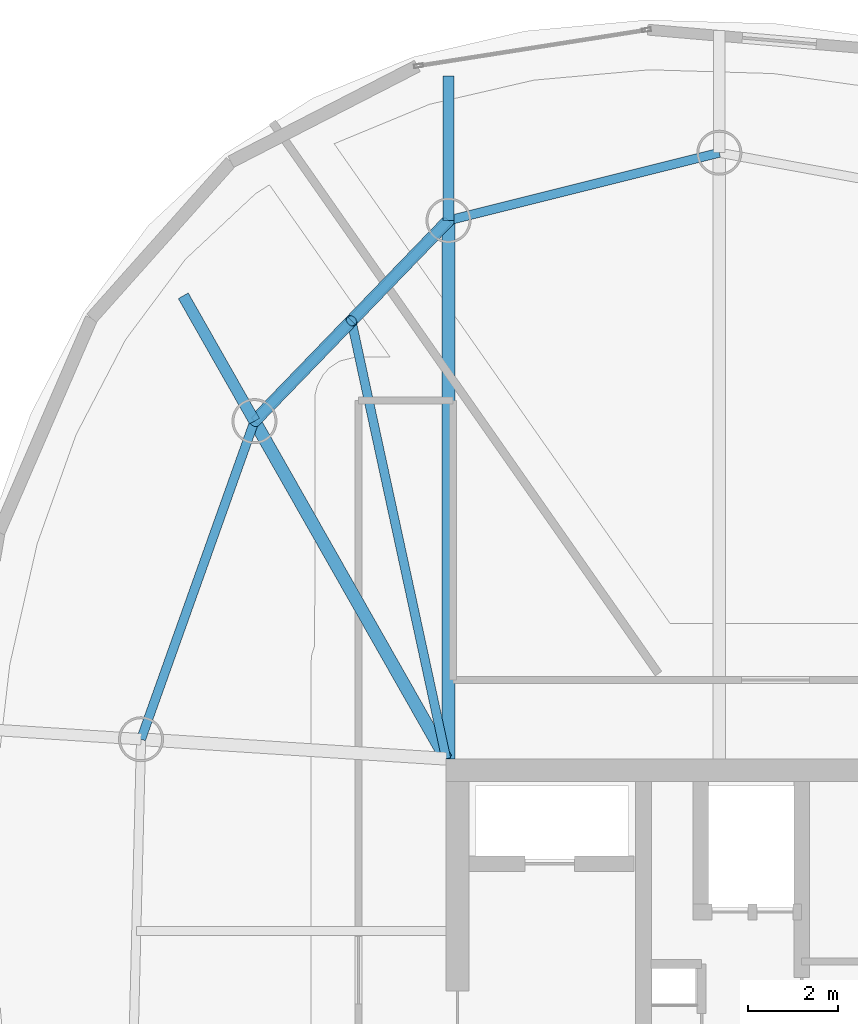
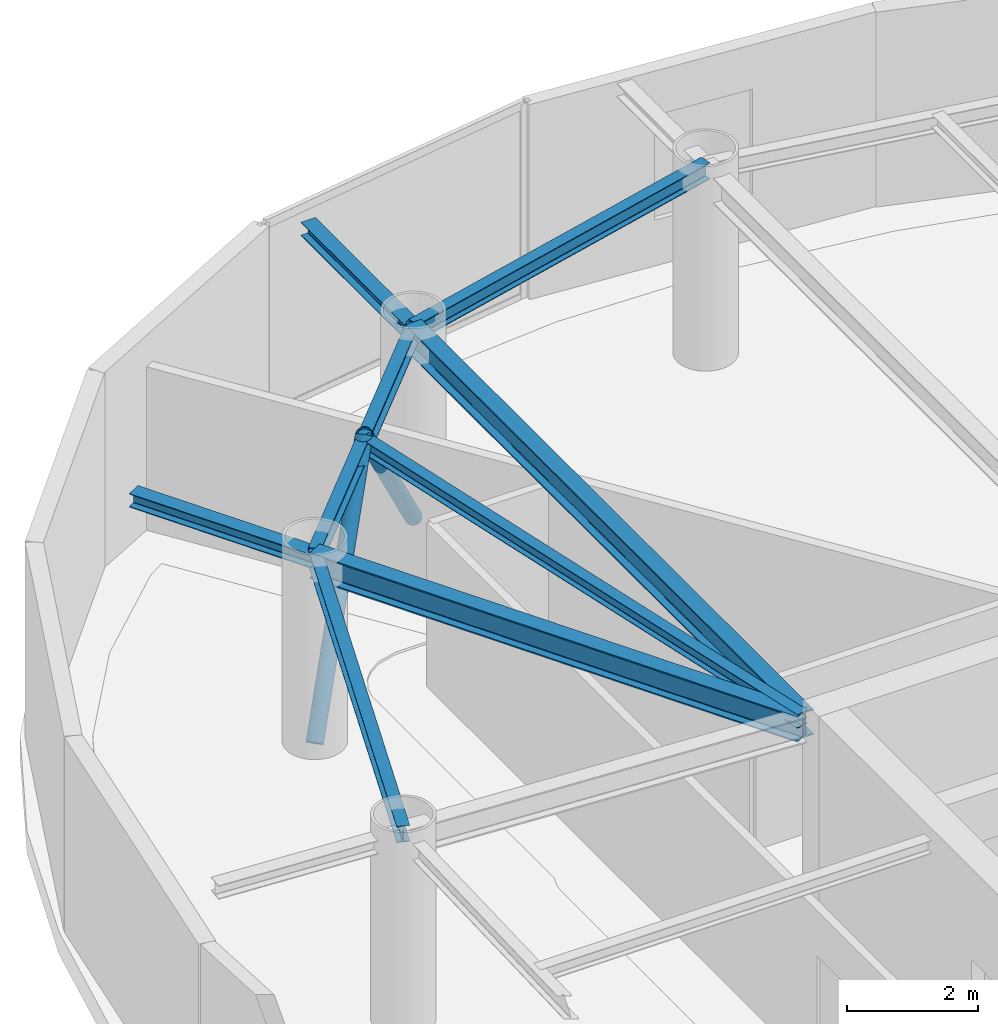
# One storey, part 11 of 20: 8 beams, 2 members.
"""IFC4 building model written with IfcOpenShell, lengths in metres."""

import ifcopenshell
import ifcopenshell.guid

model = None  # the IFC model being written
_history = None  # IfcOwnerHistory: only IFC2X3 demands one
_inside = {}  # id of a spatial element -> (the spatial element, [elements in it])
_under = {}  # id of a project, library or spatial element -> (it, [spatial elements below it])
_declared = {}  # id of a project -> (the project, [libraries it declares])
_typed = {}  # id of a type object -> (the type object, [elements of that type])
_made_of = {}  # id of a material, layer set ... -> (it, [elements and type objects made of it])


def new_model(schema):
    """Start an empty IFC model of exactly this schema.

    Asked for "IFC4X3", IfcOpenShell would pick the latest addendum, in which some entities
    have other attributes; the version numbers below select the first issue.
    IFC2X3 requires an IfcOwnerHistory on every rooted entity: one is made here for all.
    """
    global model, _history
    if schema == "IFC4X3":
        model = ifcopenshell.file(schema_version=(4, 3, 0, 0))
    else:
        model = ifcopenshell.file(schema=schema)
    _inside.clear()
    _under.clear()
    _declared.clear()
    _typed.clear()
    _made_of.clear()
    _history = None
    if model.schema == "IFC2X3":
        org = make("IfcOrganization", Name="unknown")
        user = make(
            "IfcPersonAndOrganization",
            ThePerson=make("IfcPerson", FamilyName="unknown"),
            TheOrganization=org,
        )
        app = make(
            "IfcApplication",
            ApplicationDeveloper=org,
            Version="unknown",
            ApplicationFullName="unknown",
            ApplicationIdentifier="unknown",
        )
        _history = make(
            "IfcOwnerHistory",
            OwningUser=user,
            OwningApplication=app,
            ChangeAction="ADDED",
            CreationDate=0,
        )
    return model


def make(cls, **values):
    """One entity of the class cls with the attributes given. An attribute that is None is left unset."""
    return model.create_entity(
        cls, **{name: value for name, value in values.items() if value is not None}
    )


def rooted(cls, **values):
    """An entity with a GlobalId (a new one), such as an element, a storey or a relation."""
    return make(cls, GlobalId=ifcopenshell.guid.new(), OwnerHistory=_history, **values)


def si_unit(unit_type, name, prefix=None):
    """IfcSIUnit, for example si_unit("LENGTHUNIT", "METRE", prefix="MILLI")."""
    return make("IfcSIUnit", UnitType=unit_type, Prefix=prefix, Name=name)


def assignment(units):
    """IfcUnitAssignment: the units of a project."""
    return None if units is None else make("IfcUnitAssignment", Units=units)


def point(xyz):
    """IfcCartesianPoint."""
    return None if xyz is None else make("IfcCartesianPoint", Coordinates=xyz)


def direction(xyz):
    """IfcDirection."""
    return None if xyz is None else make("IfcDirection", DirectionRatios=xyz)


def frame(location, z_axis=None, x_axis=None):
    """IfcAxis2Placement3D, a coordinate frame: its origin and axes. An axis left out is left unset."""
    return make(
        "IfcAxis2Placement3D",
        Location=point(location),
        Axis=direction(z_axis),
        RefDirection=direction(x_axis),
    )


def frame_2d(location, x_axis=None):
    """IfcAxis2Placement2D, a coordinate frame in the plane: its origin and x axis."""
    return make(
        "IfcAxis2Placement2D", Location=point(location), RefDirection=direction(x_axis)
    )


def origin():
    """The frame at (0, 0, 0) with its axes left unset."""
    return frame((0.0, 0.0, 0.0))


def origin_2d():
    """The frame at (0, 0) in the plane with its x axis left unset."""
    return frame_2d((0.0, 0.0))


def place(relative_to, where):
    """IfcLocalPlacement: puts the frame where relative to a parent placement (None: the world)."""
    return make(
        "IfcLocalPlacement", PlacementRelTo=relative_to, RelativePlacement=where
    )


def context(
    kind, dimensions, precision=None, world=None, true_north=None, identifier=None
):
    """IfcGeometricRepresentationContext, for example the 3D "Model" context."""
    return make(
        "IfcGeometricRepresentationContext",
        ContextIdentifier=identifier,
        ContextType=kind,
        CoordinateSpaceDimension=dimensions,
        Precision=precision,
        WorldCoordinateSystem=world,
        TrueNorth=true_north,
    )


def subcontext(parent, identifier, kind, view, scale=None):
    """IfcGeometricRepresentationSubContext, for example "Body" below "Model"."""
    return make(
        "IfcGeometricRepresentationSubContext",
        ContextIdentifier=identifier,
        ContextType=kind,
        ParentContext=parent,
        TargetScale=scale,
        TargetView=view,
    )


def project(units=None, contexts=None):
    """IfcProject with its units and contexts."""
    return rooted(
        "IfcProject",
        Name="project",
        RepresentationContexts=contexts,
        UnitsInContext=assignment(units),
    )


def spatial(cls, under=None, at=None, **own):
    """A site, building, storey or space (cls), placed at a placement, below another one or the project."""
    s = rooted(cls, ObjectPlacement=at, **own)
    if under is not None:
        _under.setdefault(under.id(), (under, []))[1].append(s)
    return s


def profile(cls, at=None, kind="AREA", **sizes):
    """A parametric profile (cls). Its sizes go by their IFC names, for example OverallWidth=200.0."""
    return make(cls, ProfileType=kind, Position=at, **sizes)


def hollow_circle(**sizes):
    """IfcCircleHollowProfileDef."""
    return profile("IfcCircleHollowProfileDef", **sizes)


def i_section(**sizes):
    """IfcIShapeProfileDef."""
    return profile("IfcIShapeProfileDef", **sizes)


def extrude(swept, where, along, depth):
    """IfcExtrudedAreaSolid: the profile swept, set in the frame where, extruded along a direction by depth."""
    return make(
        "IfcExtrudedAreaSolid",
        SweptArea=swept,
        Position=where,
        ExtrudedDirection=direction(along),
        Depth=depth,
    )


def shape(context_of_items, identifier, shape_type, items):
    """IfcShapeRepresentation: the items that make up one representation, for example the "Body"."""
    return make(
        "IfcShapeRepresentation",
        ContextOfItems=context_of_items,
        RepresentationIdentifier=identifier,
        RepresentationType=shape_type,
        Items=items,
    )


def material(Name=None, Category=None):
    """IfcMaterial."""
    return make("IfcMaterial", Name=Name, Category=Category)


def material_profile(
    of_material, cross_section, Name=None, Category=None, Priority=None
):
    """IfcMaterialProfile: a cross section and its material."""
    return make(
        "IfcMaterialProfile",
        Name=Name,
        Material=of_material,
        Profile=cross_section,
        Priority=Priority,
        Category=Category,
    )


def profile_set(profiles, Name=None, composite=None):
    """IfcMaterialProfileSet."""
    return make(
        "IfcMaterialProfileSet",
        Name=Name,
        MaterialProfiles=profiles,
        CompositeProfile=composite,
    )


def made_of(thing, what):
    """Note that an element or type object is made of a material, layer set ...; save() writes the relation."""
    if what is not None:
        _made_of.setdefault(what.id(), (what, []))[1].append(thing)
    return thing


def type_object(cls, material=None, **own):
    """A type object (cls), such as IfcWallType, which elements share."""
    return made_of(rooted(cls, **own), material)


def element(
    cls,
    number,
    at=None,
    inside=None,
    cuts=None,
    type_object=None,
    material=None,
    context=None,
    identifier="Body",
    shape_type=None,
    held_by="IfcProductDefinitionShape",
    body=None,
    shapes=None,
    **own,
):
    """One element of the class cls, such as IfcWall. Its Tag is "e" and its number.

    at: its placement. inside: the storey or other place that contains it. cuts: it is an
    opening in that element (IfcRelVoidsElement). A single representation is given by context,
    identifier, shape_type and body (its items); several are given by shapes. held_by: the class
    of the entity that holds the representations. save() writes the other relations.
    """
    e = rooted(cls, Tag="e%d" % number, ObjectPlacement=at, **own)
    if body is not None:
        shapes = [shape(context, identifier, shape_type, body)]
    if shapes is not None:
        e.Representation = make(held_by, Representations=shapes)
    if inside is not None:
        _inside.setdefault(inside.id(), (inside, []))[1].append(e)
    if cuts is not None:
        rooted(
            "IfcRelVoidsElement", RelatingBuildingElement=cuts, RelatedOpeningElement=e
        )
    if type_object is not None:
        _typed.setdefault(type_object.id(), (type_object, []))[1].append(e)
    return made_of(e, material)


def aggregate(whole, parts):
    """IfcRelAggregates: a whole, such as a stair, and the parts it consists of."""
    return rooted("IfcRelAggregates", RelatingObject=whole, RelatedObjects=parts)


def save(model, path):
    """Write the relations noted so far, then the file.

    IfcRelAggregates (storeys below a building ...), IfcRelContainedInSpatialStructure (elements
    in a storey), IfcRelDefinesByType, IfcRelAssociatesMaterial and IfcRelDeclares: one each for
    every whole, place, type object, material and project.
    """
    for whole, parts in _under.values():
        aggregate(whole, parts)
    for where, things in _inside.values():
        rooted(
            "IfcRelContainedInSpatialStructure",
            RelatedElements=things,
            RelatingStructure=where,
        )
    for kind, things in _typed.values():
        rooted("IfcRelDefinesByType", RelatedObjects=things, RelatingType=kind)
    for what, things in _made_of.values():
        rooted("IfcRelAssociatesMaterial", RelatedObjects=things, RelatingMaterial=what)
    for by, libraries in _declared.values():
        rooted("IfcRelDeclares", RelatingContext=by, RelatedDefinitions=libraries)
    model.write(path)


model = new_model("IFC4")

# Units and contexts
model_context = context("Model", 3, precision=1e-05, world=origin(), true_north=direction((0.0, 1.0)))
body_context = subcontext(model_context, "Body", "Model", "MODEL_VIEW")
ifc_project = project(units=[si_unit("LENGTHUNIT", "METRE"), si_unit("AREAUNIT", "SQUARE_METRE"), si_unit("VOLUMEUNIT", "CUBIC_METRE"), si_unit("PLANEANGLEUNIT", "RADIAN"), si_unit("MASSUNIT", "GRAM", prefix="KILO")], contexts=[model_context])

# Site, building, storey
site_placement = place(None, origin())
site = spatial("IfcSite", under=ifc_project, at=site_placement, CompositionType="ELEMENT")
building_placement = place(site_placement, origin())
building = spatial("IfcBuilding", under=site, at=building_placement, Name="Bramvorn Convention Spire", CompositionType="ELEMENT")
storey_placement = place(building_placement, frame((0.0, 0.0, 242.050048828125)))
storey = spatial("IfcBuildingStorey", under=building, at=storey_placement, Name="L61", CompositionType="ELEMENT", Elevation=242.050048828125)

# Beams
ifc_material = material(Name="Steel CSA G40.21 Grade 350 (350W)", Category="steel")
ifc_material_profile_1 = material_profile(ifc_material, i_section(OverallWidth=0.201904296875, OverallDepth=0.2470703125, WebThickness=0.00732421875, FlangeThickness=0.010986328125, FilletRadius=0.011962890625, at=origin_2d()))
ifc_profile_set_1 = profile_set([ifc_material_profile_1], Name="Steel CSA G40.21 Grade 350 (350W) - W250X49")
beam_type_1 = type_object("IfcBeamType", Name="BM-W250X49", PredefinedType="JOIST", material=ifc_profile_set_1)
beam_1_placement = place(storey_placement, frame((26.75, 33.449951171875, 3.50146484375), z_axis=(-0.211461445939, 0.977386339623, 0.0), x_axis=(-0.977386339623, -0.211461445939, 0.0)))
element("IfcBeam", 1, at=beam_1_placement, inside=storey, type_object=beam_type_1, Name="L61 composite floor joist 09", PredefinedType="JOIST", context=body_context, shape_type="SweptSolid", body=[
    extrude(i_section(OverallWidth=0.201904296875, OverallDepth=0.2470703125, WebThickness=0.00732421875, FlangeThickness=0.010986328125, FilletRadius=0.011962890625, at=origin_2d()), origin(), (0.0, 0.0, 1.0), 9.9462890625),
])
ifc_material_profile_2 = material_profile(ifc_material, i_section(OverallWidth=0.25390625, OverallDepth=0.2529296875, WebThickness=0.008544921875, FlangeThickness=0.01416015625, FilletRadius=0.011962890625, at=origin_2d()))
ifc_profile_set_2 = profile_set([ifc_material_profile_2], Name="Steel CSA G40.21 Grade 350 (350W) - W250X73")
beam_type_2 = type_object("IfcBeamType", Name="BM-W250X73", PredefinedType="BEAM", material=ifc_profile_set_2)
beam_2_placement = place(storey_placement, frame((26.800048828125, 45.39892578125, 3.45849609375), z_axis=(0.0, 1.0, 0.0), x_axis=(-1.0, 0.0, 0.0)))
element("IfcBeam", 2, at=beam_2_placement, inside=storey, type_object=beam_type_2, Name="L61 slab-edge cantilever tip beam MC09", PredefinedType="BEAM", context=body_context, shape_type="SweptSolid", body=[
    extrude(i_section(OverallWidth=0.25390625, OverallDepth=0.2529296875, WebThickness=0.008544921875, FlangeThickness=0.01416015625, FilletRadius=0.011962890625, at=origin_2d()), origin(), (0.0, 0.0, 1.0), 3.2001953125),
])
beam_3_placement = place(storey_placement, frame((22.49365234375, 40.94384765625, 3.45849609375), z_axis=(-0.493918961888, 0.869507940785, 0.0), x_axis=(-0.869507940785, -0.493918961888, 0.0)))
element("IfcBeam", 3, at=beam_3_placement, inside=storey, type_object=beam_type_2, Name="L61 slab-edge cantilever tip beam MC10", PredefinedType="BEAM", context=body_context, shape_type="SweptSolid", body=[
    extrude(i_section(OverallWidth=0.25390625, OverallDepth=0.2529296875, WebThickness=0.008544921875, FlangeThickness=0.01416015625, FilletRadius=0.011962890625, at=origin_2d()), origin(), (0.0, 0.0, 1.0), 3.199951171875),
])
ifc_material_profile_3 = material_profile(ifc_material, i_section(OverallWidth=0.202880859375, OverallDepth=0.302978515625, WebThickness=0.007568359375, FlangeThickness=0.01318359375, FilletRadius=0.013916015625, at=origin_2d()))
ifc_profile_set_3 = profile_set([ifc_material_profile_3], Name="Steel CSA G40.21 Grade 350 (350W) - W310X60")
beam_type_3 = type_object("IfcBeamType", Name="BM-W310X60", PredefinedType="JOIST", material=ifc_profile_set_3)
for number, where, z_axis, x_axis, name in (
    (4, (32.8115234375, 46.90087890625, 3.473388671875), (-0.970177255997, -0.24239655927, 0.0), (0.24239655927, -0.970177255997, 0.0), "L61 mega-column ring beam 08"),
    (5, (26.800048828125, 45.39892578125, 3.473388671875), (-0.695007159797, -0.719002814898, 0.0), (0.719002814898, -0.695007159797, 0.0), "L61 mega-column ring beam 09"),
):
    element("IfcBeam", number, at=place(storey_placement, frame(where, z_axis=z_axis, x_axis=x_axis)), inside=storey, type_object=beam_type_3, Name=name, PredefinedType="JOIST", context=body_context, shape_type="SweptSolid", body=[
        extrude(i_section(OverallWidth=0.202880859375, OverallDepth=0.302978515625, WebThickness=0.007568359375, FlangeThickness=0.01318359375, FilletRadius=0.013916015625, at=origin_2d()), origin(), (0.0, 0.0, 1.0), 6.1962890625),
    ])
beam_4_placement = place(storey_placement, frame((22.49365234375, 40.94384765625, 3.473388671875), z_axis=(-0.335839090413, -0.941919373063, 0.0), x_axis=(0.941919373063, -0.335839090413, 0.0)))
element("IfcBeam", 6, at=beam_4_placement, inside=storey, type_object=beam_type_3, Name="L61 mega-column ring beam 10", PredefinedType="JOIST", context=body_context, shape_type="SweptSolid", body=[
    extrude(i_section(OverallWidth=0.202880859375, OverallDepth=0.302978515625, WebThickness=0.007568359375, FlangeThickness=0.01318359375, FilletRadius=0.013916015625, at=origin_2d()), origin(), (0.0, 0.0, 1.0), 7.49560546875),
])
ifc_material_profile_4 = material_profile(ifc_material, i_section(OverallWidth=0.283935546875, OverallDepth=0.47607421875, WebThickness=0.014892578125, FlangeThickness=0.02392578125, FilletRadius=0.01806640625, at=origin_2d()))
ifc_profile_set_4 = profile_set([ifc_material_profile_4], Name="Steel CSA G40.21 Grade 350 (350W) - W460X158")
beam_type_4 = type_object("IfcBeamType", Name="BM-W460X158", PredefinedType="SPANDREL", material=ifc_profile_set_4)
beam_5_placement = place(storey_placement, frame((26.800048828125, 33.449951171875, 3.386962890625), z_axis=(0.0, 1.0, 0.0), x_axis=(-1.0, 0.0, 0.0)))
element("IfcBeam", 7, at=beam_5_placement, inside=storey, type_object=beam_type_4, Name="L61 radial floor girder MC09", PredefinedType="SPANDREL", context=body_context, shape_type="SweptSolid", body=[
    extrude(i_section(OverallWidth=0.283935546875, OverallDepth=0.47607421875, WebThickness=0.014892578125, FlangeThickness=0.02392578125, FilletRadius=0.01806640625, at=origin_2d()), origin(), (0.0, 0.0, 1.0), 11.948974609375),
])
beam_6_placement = place(storey_placement, frame((26.75, 33.449951171875, 3.386962890625), z_axis=(-0.493873612118, 0.869533699895, 0.0), x_axis=(-0.869533699895, -0.493873612118, 0.0)))
element("IfcBeam", 8, at=beam_6_placement, inside=storey, type_object=beam_type_4, Name="L61 radial floor girder MC10", PredefinedType="SPANDREL", context=body_context, shape_type="SweptSolid", body=[
    extrude(i_section(OverallWidth=0.283935546875, OverallDepth=0.47607421875, WebThickness=0.014892578125, FlangeThickness=0.02392578125, FilletRadius=0.01806640625, at=origin_2d()), origin(), (0.0, 0.0, 1.0), 8.618408203125),
])

# Members
ifc_material_profile_5 = material_profile(ifc_material, hollow_circle(Radius=0.136474609375, WallThickness=0.0126953125, at=origin_2d()))
ifc_profile_set_5 = profile_set([ifc_material_profile_5], Name="Steel CSA G40.21 Grade 350 (350W) - CHS273X13")
member_type = type_object("IfcMemberType", Name="MBR-CHS273X13", PredefinedType="BRACE", material=ifc_profile_set_5)
for number, where, z_axis, x_axis, name in (
    (9, (26.800048828125, 45.39892578125, 0.0), (-0.451564377753, -0.467128501431, 0.760184566993), (0.718983125626, -0.695027528279, 0.0), "L61 perimeter Gothic lancet brace 9A"),
    (10, (22.49365234375, 40.94384765625, 0.0), (0.451523618323, 0.46713930078, 0.760202141383), (-0.719022504671, 0.694986789642, 0.0), "L61 perimeter Gothic lancet brace 9B"),
):
    element("IfcMember", number, at=place(storey_placement, frame(where, z_axis=z_axis, x_axis=x_axis)), inside=storey, type_object=member_type, Name=name, PredefinedType="BRACE", context=body_context, shape_type="SweptSolid", body=[
        extrude(hollow_circle(Radius=0.136474609375, WallThickness=0.0126953125, at=origin_2d()), origin(), (0.0, 0.0, 1.0), 4.7685546875),
    ])

save(model, "model.ifc")
